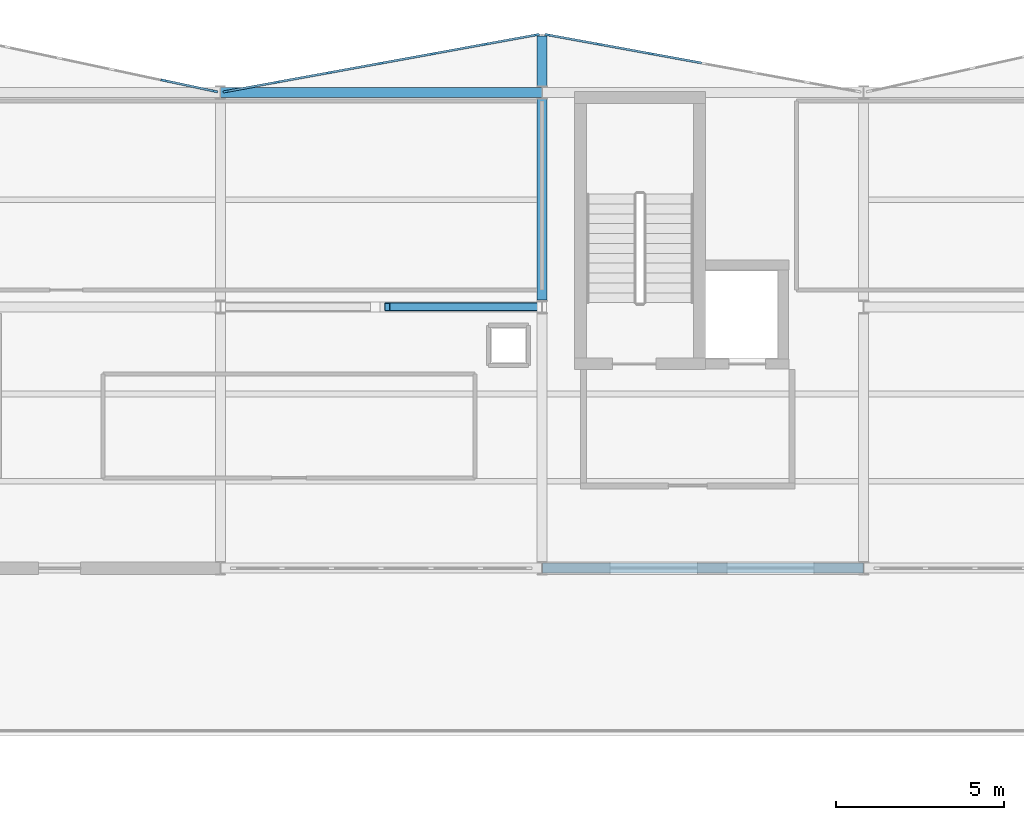
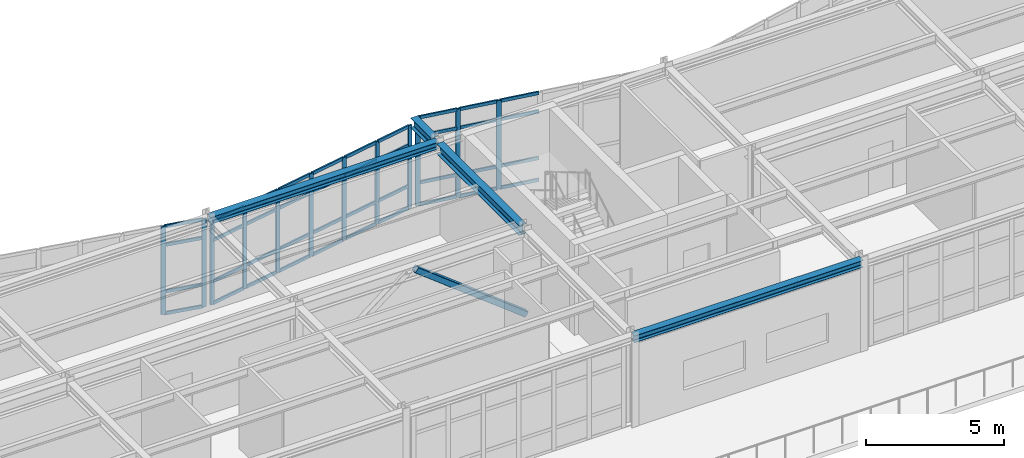
# One storey, part 24 of 47: 53 members, 4 beams, 3 elements without a shape of their own.
"""IFC4 building model written with IfcOpenShell, lengths in metres."""

from ifc_helpers import new_model, si_unit, direction, frame, origin, origin_2d, place, context, subcontext, project, spatial, rectangle, hollow_rectangle, i_section, extrude, material, layer, layer_set, material_profile, profile_set, type_object, element, aggregate, save


model = new_model("IFC4")

# Units and contexts
model_context = context("Model", 3, precision=1e-05, world=origin(), true_north=direction((0.0, 1.0)))
body_context = subcontext(model_context, "Body", "Model", "MODEL_VIEW")
ifc_project = project(units=[si_unit("LENGTHUNIT", "METRE"), si_unit("AREAUNIT", "SQUARE_METRE"), si_unit("VOLUMEUNIT", "CUBIC_METRE"), si_unit("PLANEANGLEUNIT", "RADIAN"), si_unit("MASSUNIT", "GRAM", prefix="KILO")], contexts=[model_context])

# Site, building, storey
site_placement = place(None, origin())
site = spatial("IfcSite", under=ifc_project, at=site_placement, CompositionType="ELEMENT")
building_placement = place(site_placement, origin())
building = spatial("IfcBuilding", under=site, at=building_placement, Name="Nordkorset Police Headquarters", CompositionType="ELEMENT")
storey_placement = place(building_placement, frame((0.0, 0.0, 22.050048828125)))
storey = spatial("IfcBuildingStorey", under=building, at=storey_placement, Name="L05", CompositionType="ELEMENT", Elevation=22.050048828125)

# Member
ifc_material_1 = material(Name="Steel S355J2", Category="steel")
ifc_material_profile_1 = material_profile(ifc_material_1, hollow_rectangle(XDim=0.25, YDim=0.25, WallThickness=0.012451171875, InnerFilletRadius=0.012451171875, OuterFilletRadius=0.02490234375, at=origin_2d()), Name="SHS 250x250x12.5")
ifc_profile_set_1 = profile_set([ifc_material_profile_1], Name="Steel S355J2")
member_type_1 = type_object("IfcMemberType", Name="Brace_SHS_250x250x12.5", PredefinedType="BRACE", material=ifc_profile_set_1)
member_1_placement = place(storey_placement, frame((57.59326171875, 110.39990234375, 0.199951171875), z_axis=(-0.790018119553, 0.0, 0.613083494132), x_axis=(0.0, -1.0, 0.0)))
element("IfcMember", 1, at=member_1_placement, inside=storey, type_object=member_type_1, Name="Lateral Chevron Brace BF-V2-A L05 D2", PredefinedType="BRACE", context=body_context, shape_type="SweptSolid", body=[
    extrude(hollow_rectangle(XDim=0.25, YDim=0.25, WallThickness=0.012451171875, InnerFilletRadius=0.012451171875, OuterFilletRadius=0.02490234375, at=origin_2d()), origin(), (0.0, 0.0, 1.0), 5.83935546875),
])

# Curtain wall, members
ifc_material_2 = material(Name="Aluminium alloy AW-6060", Category="aluminium")
ifc_layer_1 = layer(ifc_material_2, 0.179931640625, Name="Aluminium alloy AW-6060")
ifc_layer_set_1 = layer_set([ifc_layer_1], Name="Aluminium alloy AW-6060")
curtain_wall_type_1 = type_object("IfcCurtainWallType", Name="CW_Unit_954x392", PredefinedType="USERDEFINED", material=ifc_layer_set_1)
curtain_wall_1_placement = place(storey_placement, origin())
curtain_wall_1 = element("IfcCurtainWall", 2, at=curtain_wall_1_placement, inside=storey, type_object=curtain_wall_type_1, Name="Unitised Curtain Wall L05 V2N-1", ObjectType="UNITISED CURTAIN WALL", PredefinedType="USERDEFINED")
ifc_material_3 = material(Name="Aluminium alloy AW-6060", Category="aluminium")
ifc_material_profile_2 = material_profile(ifc_material_3, rectangle(XDim=0.06494140625, YDim=0.179931640625, at=origin_2d()), Name="ALU MULL 65x180")
ifc_profile_set_2 = profile_set([ifc_material_profile_2], Name="Aluminium alloy AW-6060")
member_type_2 = type_object("IfcMemberType", Name="CW_Mullion_65x180", PredefinedType="MULLION", material=ifc_profile_set_2)
member_2_placement = place(storey_placement, frame((46.308837890625, 117.1611328125, 0.0), z_axis=(0.0, 0.0, 1.0), x_axis=(0.208832534289, 0.977951416289, 0.0)))
member_2 = element("IfcMember", 3, at=member_2_placement, type_object=member_type_2, Name="CW-20 mullion 6", PredefinedType="MULLION", context=body_context, shape_type="SweptSolid", body=[
    extrude(rectangle(XDim=0.06494140625, YDim=0.179931640625, at=origin_2d()), origin(), (0.0, 0.0, 1.0), 3.919921875),
])
member_3_placement = place(storey_placement, frame((47.831298828125, 116.8359375, 0.0), z_axis=(0.0, 0.0, 1.0), x_axis=(0.208832534289, 0.977951416289, 0.0)))
member_3 = element("IfcMember", 4, at=member_3_placement, type_object=member_type_2, Name="CW-20 mullion 7", PredefinedType="MULLION", context=body_context, shape_type="SweptSolid", body=[
    extrude(rectangle(XDim=0.06494140625, YDim=0.179931640625, at=origin_2d()), origin(), (0.0, 0.0, 1.0), 3.919921875),
])

ifc_material_4 = material(Name="Aluminium alloy AW-6060", Category="aluminium")
ifc_layer_2 = layer(ifc_material_4, 0.179931640625, Name="Aluminium alloy AW-6060")
ifc_layer_set_2 = layer_set([ifc_layer_2], Name="Aluminium alloy AW-6060")
curtain_wall_type_2 = type_object("IfcCurtainWallType", Name="CW_Unit_948x367", PredefinedType="USERDEFINED", material=ifc_layer_set_2)
curtain_wall_2_placement = place(storey_placement, origin())
curtain_wall_2 = element("IfcCurtainWall", 5, at=curtain_wall_2_placement, inside=storey, type_object=curtain_wall_type_2, Name="Unitised Curtain Wall L05 V2N-2", ObjectType="UNITISED CURTAIN WALL", PredefinedType="USERDEFINED")
member_4_placement = place(storey_placement, frame((48.169677734375, 116.8310546875, 0.0), z_axis=(0.0, 0.0, 1.0), x_axis=(-0.179335715876, 0.983787934979, 0.0)))
member_4 = element("IfcMember", 6, at=member_4_placement, type_object=member_type_2, Name="CW-02 mullion 1", PredefinedType="MULLION", context=body_context, shape_type="SweptSolid", body=[
    extrude(rectangle(XDim=0.06494140625, YDim=0.179931640625, at=origin_2d()), origin(), (0.0, 0.0, 1.0), 3.669921875),
])
member_5_placement = place(storey_placement, frame((49.69189453125, 117.1083984375, 0.0), z_axis=(0.0, 0.0, 1.0), x_axis=(-0.179335715876, 0.983787934979, 0.0)))
member_5 = element("IfcMember", 7, at=member_5_placement, type_object=member_type_2, Name="CW-02 mullion 2", PredefinedType="MULLION", context=body_context, shape_type="SweptSolid", body=[
    extrude(rectangle(XDim=0.06494140625, YDim=0.179931640625, at=origin_2d()), origin(), (0.0, 0.0, 1.0), 3.669921875),
])
member_6_placement = place(storey_placement, frame((51.245849609375, 117.3916015625, 0.0), z_axis=(0.0, 0.0, 1.0), x_axis=(-0.179335715876, 0.983787934979, 0.0)))
member_6 = element("IfcMember", 8, at=member_6_placement, type_object=member_type_2, Name="CW-02 mullion 3", PredefinedType="MULLION", context=body_context, shape_type="SweptSolid", body=[
    extrude(rectangle(XDim=0.06494140625, YDim=0.179931640625, at=origin_2d()), origin(), (0.0, 0.0, 1.0), 3.669921875),
])
member_7_placement = place(storey_placement, frame((52.800048828125, 117.675048828125, 0.0), z_axis=(0.0, 0.0, 1.0), x_axis=(-0.179335715876, 0.983787934979, 0.0)))
member_7 = element("IfcMember", 9, at=member_7_placement, type_object=member_type_2, Name="CW-02 mullion 4", PredefinedType="MULLION", context=body_context, shape_type="SweptSolid", body=[
    extrude(rectangle(XDim=0.06494140625, YDim=0.179931640625, at=origin_2d()), origin(), (0.0, 0.0, 1.0), 3.669921875),
])
member_8_placement = place(storey_placement, frame((54.35400390625, 117.958251953125, 0.0), z_axis=(0.0, 0.0, 1.0), x_axis=(-0.179335715876, 0.983787934979, 0.0)))
member_8 = element("IfcMember", 10, at=member_8_placement, type_object=member_type_2, Name="CW-02 mullion 5", PredefinedType="MULLION", context=body_context, shape_type="SweptSolid", body=[
    extrude(rectangle(XDim=0.06494140625, YDim=0.179931640625, at=origin_2d()), origin(), (0.0, 0.0, 1.0), 3.669921875),
])
member_9_placement = place(storey_placement, frame((55.908203125, 118.24169921875, 0.0), z_axis=(0.0, 0.0, 1.0), x_axis=(-0.179335715876, 0.983787934979, 0.0)))
member_9 = element("IfcMember", 11, at=member_9_placement, type_object=member_type_2, Name="CW-02 mullion 6", PredefinedType="MULLION", context=body_context, shape_type="SweptSolid", body=[
    extrude(rectangle(XDim=0.06494140625, YDim=0.179931640625, at=origin_2d()), origin(), (0.0, 0.0, 1.0), 3.669921875),
])
member_10_placement = place(storey_placement, frame((57.43017578125, 118.51904296875, 0.0), z_axis=(0.0, 0.0, 1.0), x_axis=(-0.179335715876, 0.983787934979, 0.0)))
member_10 = element("IfcMember", 12, at=member_10_placement, type_object=member_type_2, Name="CW-02 mullion 7", PredefinedType="MULLION", context=body_context, shape_type="SweptSolid", body=[
    extrude(rectangle(XDim=0.06494140625, YDim=0.179931640625, at=origin_2d()), origin(), (0.0, 0.0, 1.0), 3.669921875),
])

ifc_material_5 = material(Name="Aluminium alloy AW-6060", Category="aluminium")
ifc_layer_3 = layer(ifc_material_5, 0.179931640625, Name="Aluminium alloy AW-6060")
ifc_layer_set_3 = layer_set([ifc_layer_3], Name="Aluminium alloy AW-6060")
curtain_wall_type_3 = type_object("IfcCurtainWallType", Name="CW_Unit_948x392", PredefinedType="USERDEFINED", material=ifc_layer_set_3)
curtain_wall_3_placement = place(storey_placement, origin())
curtain_wall_3 = element("IfcCurtainWall", 13, at=curtain_wall_3_placement, inside=storey, type_object=curtain_wall_type_3, Name="Unitised Curtain Wall L05 V2N-3", ObjectType="UNITISED CURTAIN WALL", PredefinedType="USERDEFINED")
member_11_placement = place(storey_placement, frame((57.769775390625, 118.51904296875, 0.0), z_axis=(0.0, 0.0, 1.0), x_axis=(0.179335715876, 0.983787934979, 0.0)))
member_11 = element("IfcMember", 14, at=member_11_placement, type_object=member_type_2, Name="CW-65 mullion 1", PredefinedType="MULLION", context=body_context, shape_type="SweptSolid", body=[
    extrude(rectangle(XDim=0.06494140625, YDim=0.179931640625, at=origin_2d()), origin(), (0.0, 0.0, 1.0), 3.919921875),
])
member_12_placement = place(storey_placement, frame((59.291748046875, 118.24169921875, 0.0), z_axis=(0.0, 0.0, 1.0), x_axis=(0.179335715876, 0.983787934979, 0.0)))
member_12 = element("IfcMember", 15, at=member_12_placement, type_object=member_type_2, Name="CW-65 mullion 2", PredefinedType="MULLION", context=body_context, shape_type="SweptSolid", body=[
    extrude(rectangle(XDim=0.06494140625, YDim=0.179931640625, at=origin_2d()), origin(), (0.0, 0.0, 1.0), 3.919921875),
])
member_13_placement = place(storey_placement, frame((60.845947265625, 117.958251953125, 0.0), z_axis=(0.0, 0.0, 1.0), x_axis=(0.179335715876, 0.983787934979, 0.0)))
member_13 = element("IfcMember", 16, at=member_13_placement, type_object=member_type_2, Name="CW-65 mullion 3", PredefinedType="MULLION", context=body_context, shape_type="SweptSolid", body=[
    extrude(rectangle(XDim=0.06494140625, YDim=0.179931640625, at=origin_2d()), origin(), (0.0, 0.0, 1.0), 3.919921875),
])

# Member
ifc_material_6 = material(Name="Aluminium alloy AW-6060", Category="aluminium")
ifc_material_profile_3 = material_profile(ifc_material_6, rectangle(XDim=0.06494140625, YDim=0.139892578125, at=origin_2d()), Name="ALU TRAN 65x140")
ifc_profile_set_3 = profile_set([ifc_material_profile_3], Name="Aluminium alloy AW-6060")
member_type_3 = type_object("IfcMemberType", Name="CW_Transom_65x140", PredefinedType="USERDEFINED", material=ifc_profile_set_3)
member_14_placement = place(storey_placement, frame((46.340576171875, 117.154296875, 0.032470703125), z_axis=(0.977955422008, -0.208813774846, 0.0), x_axis=(0.208813774846, 0.977955422008, 0.0)))
member_14 = element("IfcMember", 17, at=member_14_placement, type_object=member_type_3, Name="CW-20 transom 6.1", ObjectType="TRANSOM", PredefinedType="USERDEFINED", context=body_context, shape_type="SweptSolid", body=[
    extrude(rectangle(XDim=0.06494140625, YDim=0.139892578125, at=origin_2d()), origin(), (0.0, 0.0, 1.0), 1.491943359375),
])

member_15_placement = place(storey_placement, frame((46.340576171875, 117.154296875, 1.0), z_axis=(0.977955422008, -0.208813774846, 0.0), x_axis=(0.208813774846, 0.977955422008, 0.0)))
member_15 = element("IfcMember", 18, at=member_15_placement, type_object=member_type_3, Name="CW-20 transom 6.2", ObjectType="TRANSOM", PredefinedType="USERDEFINED", context=body_context, shape_type="SweptSolid", body=[
    extrude(rectangle(XDim=0.06494140625, YDim=0.139892578125, at=origin_2d()), origin(), (0.0, 0.0, 1.0), 1.491943359375),
])

member_16_placement = place(storey_placement, frame((46.340576171875, 117.154296875, 3.070068359375), z_axis=(0.977955422008, -0.208813774846, 0.0), x_axis=(0.208813774846, 0.977955422008, 0.0)))
member_16 = element("IfcMember", 19, at=member_16_placement, type_object=member_type_3, Name="CW-20 transom 6.3", ObjectType="TRANSOM", PredefinedType="USERDEFINED", context=body_context, shape_type="SweptSolid", body=[
    extrude(rectangle(XDim=0.06494140625, YDim=0.139892578125, at=origin_2d()), origin(), (0.0, 0.0, 1.0), 1.491943359375),
])

member_17_placement = place(storey_placement, frame((46.340576171875, 117.154296875, 3.887451171875), z_axis=(0.977955422008, -0.208813774846, 0.0), x_axis=(0.208813774846, 0.977955422008, 0.0)))
member_17 = element("IfcMember", 20, at=member_17_placement, type_object=member_type_3, Name="CW-20 transom 6.4", ObjectType="TRANSOM", PredefinedType="USERDEFINED", context=body_context, shape_type="SweptSolid", body=[
    extrude(rectangle(XDim=0.06494140625, YDim=0.139892578125, at=origin_2d()), origin(), (0.0, 0.0, 1.0), 1.491943359375),
])

aggregate(curtain_wall_1, [member_2, member_3, member_14, member_15, member_16, member_17])

member_18_placement = place(storey_placement, frame((48.20166015625, 116.836669921875, 0.032470703125), z_axis=(0.98378282961, 0.179363720316, 0.0), x_axis=(-0.179363720316, 0.98378282961, 0.0)))
member_18 = element("IfcMember", 21, at=member_18_placement, type_object=member_type_3, Name="CW-02 transom 1.1", ObjectType="TRANSOM", PredefinedType="USERDEFINED", context=body_context, shape_type="SweptSolid", body=[
    extrude(rectangle(XDim=0.06494140625, YDim=0.139892578125, at=origin_2d()), origin(), (0.0, 0.0, 1.0), 1.482177734375),
])

member_19_placement = place(storey_placement, frame((48.20166015625, 116.836669921875, 1.0), z_axis=(0.98378282961, 0.179363720316, 0.0), x_axis=(-0.179363720316, 0.98378282961, 0.0)))
member_19 = element("IfcMember", 22, at=member_19_placement, type_object=member_type_3, Name="CW-02 transom 1.2", ObjectType="TRANSOM", PredefinedType="USERDEFINED", context=body_context, shape_type="SweptSolid", body=[
    extrude(rectangle(XDim=0.06494140625, YDim=0.139892578125, at=origin_2d()), origin(), (0.0, 0.0, 1.0), 1.482177734375),
])

member_20_placement = place(storey_placement, frame((48.20166015625, 116.836669921875, 2.820068359375), z_axis=(0.98378282961, 0.179363720316, 0.0), x_axis=(-0.179363720316, 0.98378282961, 0.0)))
member_20 = element("IfcMember", 23, at=member_20_placement, type_object=member_type_3, Name="CW-02 transom 1.3", ObjectType="TRANSOM", PredefinedType="USERDEFINED", context=body_context, shape_type="SweptSolid", body=[
    extrude(rectangle(XDim=0.06494140625, YDim=0.139892578125, at=origin_2d()), origin(), (0.0, 0.0, 1.0), 1.482177734375),
])

member_21_placement = place(storey_placement, frame((48.20166015625, 116.836669921875, 3.637451171875), z_axis=(0.98378282961, 0.179363720316, 0.0), x_axis=(-0.179363720316, 0.98378282961, 0.0)))
member_21 = element("IfcMember", 24, at=member_21_placement, type_object=member_type_3, Name="CW-02 transom 1.4", ObjectType="TRANSOM", PredefinedType="USERDEFINED", context=body_context, shape_type="SweptSolid", body=[
    extrude(rectangle(XDim=0.06494140625, YDim=0.139892578125, at=origin_2d()), origin(), (0.0, 0.0, 1.0), 1.482177734375),
])

member_22_placement = place(storey_placement, frame((49.723876953125, 117.1142578125, 0.032470703125), z_axis=(0.983774342545, 0.179410264338, 0.0), x_axis=(-0.179410264338, 0.983774342545, 0.0)))
member_22 = element("IfcMember", 25, at=member_22_placement, type_object=member_type_3, Name="CW-02 transom 2.1", ObjectType="TRANSOM", PredefinedType="USERDEFINED", context=body_context, shape_type="SweptSolid", body=[
    extrude(rectangle(XDim=0.06494140625, YDim=0.139892578125, at=origin_2d()), origin(), (0.0, 0.0, 1.0), 1.5146484375),
])

member_23_placement = place(storey_placement, frame((49.723876953125, 117.1142578125, 1.0), z_axis=(0.983774342545, 0.179410264338, 0.0), x_axis=(-0.179410264338, 0.983774342545, 0.0)))
member_23 = element("IfcMember", 26, at=member_23_placement, type_object=member_type_3, Name="CW-02 transom 2.2", ObjectType="TRANSOM", PredefinedType="USERDEFINED", context=body_context, shape_type="SweptSolid", body=[
    extrude(rectangle(XDim=0.06494140625, YDim=0.139892578125, at=origin_2d()), origin(), (0.0, 0.0, 1.0), 1.5146484375),
])

member_24_placement = place(storey_placement, frame((49.723876953125, 117.1142578125, 2.820068359375), z_axis=(0.983774342545, 0.179410264338, 0.0), x_axis=(-0.179410264338, 0.983774342545, 0.0)))
member_24 = element("IfcMember", 27, at=member_24_placement, type_object=member_type_3, Name="CW-02 transom 2.3", ObjectType="TRANSOM", PredefinedType="USERDEFINED", context=body_context, shape_type="SweptSolid", body=[
    extrude(rectangle(XDim=0.06494140625, YDim=0.139892578125, at=origin_2d()), origin(), (0.0, 0.0, 1.0), 1.5146484375),
])

member_25_placement = place(storey_placement, frame((49.723876953125, 117.1142578125, 3.637451171875), z_axis=(0.983774342545, 0.179410264338, 0.0), x_axis=(-0.179410264338, 0.983774342545, 0.0)))
member_25 = element("IfcMember", 28, at=member_25_placement, type_object=member_type_3, Name="CW-02 transom 2.4", ObjectType="TRANSOM", PredefinedType="USERDEFINED", context=body_context, shape_type="SweptSolid", body=[
    extrude(rectangle(XDim=0.06494140625, YDim=0.139892578125, at=origin_2d()), origin(), (0.0, 0.0, 1.0), 1.5146484375),
])

member_26_placement = place(storey_placement, frame((51.27783203125, 117.3974609375, 0.032470703125), z_axis=(0.983779529869, 0.179381817946, 0.0), x_axis=(-0.179381817946, 0.983779529869, 0.0)))
member_26 = element("IfcMember", 29, at=member_26_placement, type_object=member_type_3, Name="CW-02 transom 3.1", ObjectType="TRANSOM", PredefinedType="USERDEFINED", context=body_context, shape_type="SweptSolid", body=[
    extrude(rectangle(XDim=0.06494140625, YDim=0.139892578125, at=origin_2d()), origin(), (0.0, 0.0, 1.0), 1.514892578125),
])

member_27_placement = place(storey_placement, frame((51.27783203125, 117.3974609375, 1.0), z_axis=(0.983779529869, 0.179381817946, 0.0), x_axis=(-0.179381817946, 0.983779529869, 0.0)))
member_27 = element("IfcMember", 30, at=member_27_placement, type_object=member_type_3, Name="CW-02 transom 3.2", ObjectType="TRANSOM", PredefinedType="USERDEFINED", context=body_context, shape_type="SweptSolid", body=[
    extrude(rectangle(XDim=0.06494140625, YDim=0.139892578125, at=origin_2d()), origin(), (0.0, 0.0, 1.0), 1.514892578125),
])

member_28_placement = place(storey_placement, frame((51.27783203125, 117.3974609375, 2.820068359375), z_axis=(0.983779529869, 0.179381817946, 0.0), x_axis=(-0.179381817946, 0.983779529869, 0.0)))
member_28 = element("IfcMember", 31, at=member_28_placement, type_object=member_type_3, Name="CW-02 transom 3.3", ObjectType="TRANSOM", PredefinedType="USERDEFINED", context=body_context, shape_type="SweptSolid", body=[
    extrude(rectangle(XDim=0.06494140625, YDim=0.139892578125, at=origin_2d()), origin(), (0.0, 0.0, 1.0), 1.514892578125),
])

member_29_placement = place(storey_placement, frame((51.27783203125, 117.3974609375, 3.637451171875), z_axis=(0.983779529869, 0.179381817946, 0.0), x_axis=(-0.179381817946, 0.983779529869, 0.0)))
member_29 = element("IfcMember", 32, at=member_29_placement, type_object=member_type_3, Name="CW-02 transom 3.4", ObjectType="TRANSOM", PredefinedType="USERDEFINED", context=body_context, shape_type="SweptSolid", body=[
    extrude(rectangle(XDim=0.06494140625, YDim=0.139892578125, at=origin_2d()), origin(), (0.0, 0.0, 1.0), 1.514892578125),
])

member_30_placement = place(storey_placement, frame((52.83203125, 117.680908203125, 0.032470703125), z_axis=(0.983802781825, 0.179254250924, 0.0), x_axis=(-0.179254250924, 0.983802781825, 0.0)))
member_30 = element("IfcMember", 33, at=member_30_placement, type_object=member_type_3, Name="CW-02 transom 4.1", ObjectType="TRANSOM", PredefinedType="USERDEFINED", context=body_context, shape_type="SweptSolid", body=[
    extrude(rectangle(XDim=0.06494140625, YDim=0.139892578125, at=origin_2d()), origin(), (0.0, 0.0, 1.0), 1.514404296875),
])

member_31_placement = place(storey_placement, frame((52.83203125, 117.680908203125, 1.0), z_axis=(0.983802781825, 0.179254250924, 0.0), x_axis=(-0.179254250924, 0.983802781825, 0.0)))
member_31 = element("IfcMember", 34, at=member_31_placement, type_object=member_type_3, Name="CW-02 transom 4.2", ObjectType="TRANSOM", PredefinedType="USERDEFINED", context=body_context, shape_type="SweptSolid", body=[
    extrude(rectangle(XDim=0.06494140625, YDim=0.139892578125, at=origin_2d()), origin(), (0.0, 0.0, 1.0), 1.514404296875),
])

member_32_placement = place(storey_placement, frame((52.83203125, 117.680908203125, 2.820068359375), z_axis=(0.983802781825, 0.179254250924, 0.0), x_axis=(-0.179254250924, 0.983802781825, 0.0)))
member_32 = element("IfcMember", 35, at=member_32_placement, type_object=member_type_3, Name="CW-02 transom 4.3", ObjectType="TRANSOM", PredefinedType="USERDEFINED", context=body_context, shape_type="SweptSolid", body=[
    extrude(rectangle(XDim=0.06494140625, YDim=0.139892578125, at=origin_2d()), origin(), (0.0, 0.0, 1.0), 1.514404296875),
])

member_33_placement = place(storey_placement, frame((52.83203125, 117.680908203125, 3.637451171875), z_axis=(0.983802781825, 0.179254250924, 0.0), x_axis=(-0.179254250924, 0.983802781825, 0.0)))
member_33 = element("IfcMember", 36, at=member_33_placement, type_object=member_type_3, Name="CW-02 transom 4.4", ObjectType="TRANSOM", PredefinedType="USERDEFINED", context=body_context, shape_type="SweptSolid", body=[
    extrude(rectangle(XDim=0.06494140625, YDim=0.139892578125, at=origin_2d()), origin(), (0.0, 0.0, 1.0), 1.514404296875),
])

member_34_placement = place(storey_placement, frame((54.385986328125, 117.964111328125, 0.032470703125), z_axis=(0.983779529869, 0.179381817946, 0.0), x_axis=(-0.179381817946, 0.983779529869, 0.0)))
member_34 = element("IfcMember", 37, at=member_34_placement, type_object=member_type_3, Name="CW-02 transom 5.1", ObjectType="TRANSOM", PredefinedType="USERDEFINED", context=body_context, shape_type="SweptSolid", body=[
    extrude(rectangle(XDim=0.06494140625, YDim=0.139892578125, at=origin_2d()), origin(), (0.0, 0.0, 1.0), 1.514892578125),
])

member_35_placement = place(storey_placement, frame((54.385986328125, 117.964111328125, 1.0), z_axis=(0.983779529869, 0.179381817946, 0.0), x_axis=(-0.179381817946, 0.983779529869, 0.0)))
member_35 = element("IfcMember", 38, at=member_35_placement, type_object=member_type_3, Name="CW-02 transom 5.2", ObjectType="TRANSOM", PredefinedType="USERDEFINED", context=body_context, shape_type="SweptSolid", body=[
    extrude(rectangle(XDim=0.06494140625, YDim=0.139892578125, at=origin_2d()), origin(), (0.0, 0.0, 1.0), 1.514892578125),
])

member_36_placement = place(storey_placement, frame((54.385986328125, 117.964111328125, 2.820068359375), z_axis=(0.983779529869, 0.179381817946, 0.0), x_axis=(-0.179381817946, 0.983779529869, 0.0)))
member_36 = element("IfcMember", 39, at=member_36_placement, type_object=member_type_3, Name="CW-02 transom 5.3", ObjectType="TRANSOM", PredefinedType="USERDEFINED", context=body_context, shape_type="SweptSolid", body=[
    extrude(rectangle(XDim=0.06494140625, YDim=0.139892578125, at=origin_2d()), origin(), (0.0, 0.0, 1.0), 1.514892578125),
])

member_37_placement = place(storey_placement, frame((54.385986328125, 117.964111328125, 3.637451171875), z_axis=(0.983779529869, 0.179381817946, 0.0), x_axis=(-0.179381817946, 0.983779529869, 0.0)))
member_37 = element("IfcMember", 40, at=member_37_placement, type_object=member_type_3, Name="CW-02 transom 5.4", ObjectType="TRANSOM", PredefinedType="USERDEFINED", context=body_context, shape_type="SweptSolid", body=[
    extrude(rectangle(XDim=0.06494140625, YDim=0.139892578125, at=origin_2d()), origin(), (0.0, 0.0, 1.0), 1.514892578125),
])

member_38_placement = place(storey_placement, frame((55.940185546875, 118.247314453125, 0.032470703125), z_axis=(0.98378282961, 0.179363720316, 0.0), x_axis=(-0.179363720316, 0.98378282961, 0.0)))
member_38 = element("IfcMember", 41, at=member_38_placement, type_object=member_type_3, Name="CW-02 transom 6.1", ObjectType="TRANSOM", PredefinedType="USERDEFINED", context=body_context, shape_type="SweptSolid", body=[
    extrude(rectangle(XDim=0.06494140625, YDim=0.139892578125, at=origin_2d()), origin(), (0.0, 0.0, 1.0), 1.482177734375),
])

member_39_placement = place(storey_placement, frame((55.940185546875, 118.247314453125, 1.0), z_axis=(0.98378282961, 0.179363720316, 0.0), x_axis=(-0.179363720316, 0.98378282961, 0.0)))
member_39 = element("IfcMember", 42, at=member_39_placement, type_object=member_type_3, Name="CW-02 transom 6.2", ObjectType="TRANSOM", PredefinedType="USERDEFINED", context=body_context, shape_type="SweptSolid", body=[
    extrude(rectangle(XDim=0.06494140625, YDim=0.139892578125, at=origin_2d()), origin(), (0.0, 0.0, 1.0), 1.482177734375),
])

member_40_placement = place(storey_placement, frame((55.940185546875, 118.247314453125, 2.820068359375), z_axis=(0.98378282961, 0.179363720316, 0.0), x_axis=(-0.179363720316, 0.98378282961, 0.0)))
member_40 = element("IfcMember", 43, at=member_40_placement, type_object=member_type_3, Name="CW-02 transom 6.3", ObjectType="TRANSOM", PredefinedType="USERDEFINED", context=body_context, shape_type="SweptSolid", body=[
    extrude(rectangle(XDim=0.06494140625, YDim=0.139892578125, at=origin_2d()), origin(), (0.0, 0.0, 1.0), 1.482177734375),
])

member_41_placement = place(storey_placement, frame((55.940185546875, 118.247314453125, 3.637451171875), z_axis=(0.98378282961, 0.179363720316, 0.0), x_axis=(-0.179363720316, 0.98378282961, 0.0)))
member_41 = element("IfcMember", 44, at=member_41_placement, type_object=member_type_3, Name="CW-02 transom 6.4", ObjectType="TRANSOM", PredefinedType="USERDEFINED", context=body_context, shape_type="SweptSolid", body=[
    extrude(rectangle(XDim=0.06494140625, YDim=0.139892578125, at=origin_2d()), origin(), (0.0, 0.0, 1.0), 1.482177734375),
])

aggregate(curtain_wall_2, [member_4, member_5, member_6, member_7, member_8, member_9, member_10, member_18, member_19, member_20, member_21, member_22, member_23, member_24, member_25, member_26, member_27, member_28, member_29, member_30, member_31, member_32, member_33, member_34, member_35, member_36, member_37, member_38, member_39, member_40, member_41])

member_42_placement = place(storey_placement, frame((57.8017578125, 118.51318359375, 0.032470703125), z_axis=(0.983777529541, -0.179392787955, 0.0), x_axis=(0.179392787955, 0.983777529541, 0.0)))
member_42 = element("IfcMember", 45, at=member_42_placement, type_object=member_type_3, Name="CW-65 transom 1.1", ObjectType="TRANSOM", PredefinedType="USERDEFINED", context=body_context, shape_type="SweptSolid", body=[
    extrude(rectangle(XDim=0.06494140625, YDim=0.139892578125, at=origin_2d()), origin(), (0.0, 0.0, 1.0), 1.48193359375),
])

member_43_placement = place(storey_placement, frame((57.8017578125, 118.51318359375, 1.0), z_axis=(0.983777529541, -0.179392787955, 0.0), x_axis=(0.179392787955, 0.983777529541, 0.0)))
member_43 = element("IfcMember", 46, at=member_43_placement, type_object=member_type_3, Name="CW-65 transom 1.2", ObjectType="TRANSOM", PredefinedType="USERDEFINED", context=body_context, shape_type="SweptSolid", body=[
    extrude(rectangle(XDim=0.06494140625, YDim=0.139892578125, at=origin_2d()), origin(), (0.0, 0.0, 1.0), 1.48193359375),
])

member_44_placement = place(storey_placement, frame((57.8017578125, 118.51318359375, 3.070068359375), z_axis=(0.983777529541, -0.179392787955, 0.0), x_axis=(0.179392787955, 0.983777529541, 0.0)))
member_44 = element("IfcMember", 47, at=member_44_placement, type_object=member_type_3, Name="CW-65 transom 1.3", ObjectType="TRANSOM", PredefinedType="USERDEFINED", context=body_context, shape_type="SweptSolid", body=[
    extrude(rectangle(XDim=0.06494140625, YDim=0.139892578125, at=origin_2d()), origin(), (0.0, 0.0, 1.0), 1.48193359375),
])

member_45_placement = place(storey_placement, frame((57.8017578125, 118.51318359375, 3.887451171875), z_axis=(0.983777529541, -0.179392787955, 0.0), x_axis=(0.179392787955, 0.983777529541, 0.0)))
member_45 = element("IfcMember", 48, at=member_45_placement, type_object=member_type_3, Name="CW-65 transom 1.4", ObjectType="TRANSOM", PredefinedType="USERDEFINED", context=body_context, shape_type="SweptSolid", body=[
    extrude(rectangle(XDim=0.06494140625, YDim=0.139892578125, at=origin_2d()), origin(), (0.0, 0.0, 1.0), 1.48193359375),
])

member_46_placement = place(storey_placement, frame((59.32373046875, 118.23583984375, 0.032470703125), z_axis=(0.983779529869, -0.179381817946, 0.0), x_axis=(0.179381817946, 0.983779529869, 0.0)))
member_46 = element("IfcMember", 49, at=member_46_placement, type_object=member_type_3, Name="CW-65 transom 2.1", ObjectType="TRANSOM", PredefinedType="USERDEFINED", context=body_context, shape_type="SweptSolid", body=[
    extrude(rectangle(XDim=0.06494140625, YDim=0.139892578125, at=origin_2d()), origin(), (0.0, 0.0, 1.0), 1.514892578125),
])

member_47_placement = place(storey_placement, frame((59.32373046875, 118.23583984375, 1.0), z_axis=(0.983779529869, -0.179381817946, 0.0), x_axis=(0.179381817946, 0.983779529869, 0.0)))
member_47 = element("IfcMember", 50, at=member_47_placement, type_object=member_type_3, Name="CW-65 transom 2.2", ObjectType="TRANSOM", PredefinedType="USERDEFINED", context=body_context, shape_type="SweptSolid", body=[
    extrude(rectangle(XDim=0.06494140625, YDim=0.139892578125, at=origin_2d()), origin(), (0.0, 0.0, 1.0), 1.514892578125),
])

member_48_placement = place(storey_placement, frame((59.32373046875, 118.23583984375, 3.070068359375), z_axis=(0.983779529869, -0.179381817946, 0.0), x_axis=(0.179381817946, 0.983779529869, 0.0)))
member_48 = element("IfcMember", 51, at=member_48_placement, type_object=member_type_3, Name="CW-65 transom 2.3", ObjectType="TRANSOM", PredefinedType="USERDEFINED", context=body_context, shape_type="SweptSolid", body=[
    extrude(rectangle(XDim=0.06494140625, YDim=0.139892578125, at=origin_2d()), origin(), (0.0, 0.0, 1.0), 1.514892578125),
])

member_49_placement = place(storey_placement, frame((59.32373046875, 118.23583984375, 3.887451171875), z_axis=(0.983779529869, -0.179381817946, 0.0), x_axis=(0.179381817946, 0.983779529869, 0.0)))
member_49 = element("IfcMember", 52, at=member_49_placement, type_object=member_type_3, Name="CW-65 transom 2.4", ObjectType="TRANSOM", PredefinedType="USERDEFINED", context=body_context, shape_type="SweptSolid", body=[
    extrude(rectangle(XDim=0.06494140625, YDim=0.139892578125, at=origin_2d()), origin(), (0.0, 0.0, 1.0), 1.514892578125),
])

member_50_placement = place(storey_placement, frame((60.8779296875, 117.952392578125, 0.032470703125), z_axis=(0.983802781825, -0.179254250924, 0.0), x_axis=(0.179254250924, 0.983802781825, 0.0)))
member_50 = element("IfcMember", 53, at=member_50_placement, type_object=member_type_3, Name="CW-65 transom 3.1", ObjectType="TRANSOM", PredefinedType="USERDEFINED", context=body_context, shape_type="SweptSolid", body=[
    extrude(rectangle(XDim=0.06494140625, YDim=0.139892578125, at=origin_2d()), origin(), (0.0, 0.0, 1.0), 1.514404296875),
])

member_51_placement = place(storey_placement, frame((60.8779296875, 117.952392578125, 1.0), z_axis=(0.983802781825, -0.179254250924, 0.0), x_axis=(0.179254250924, 0.983802781825, 0.0)))
member_51 = element("IfcMember", 54, at=member_51_placement, type_object=member_type_3, Name="CW-65 transom 3.2", ObjectType="TRANSOM", PredefinedType="USERDEFINED", context=body_context, shape_type="SweptSolid", body=[
    extrude(rectangle(XDim=0.06494140625, YDim=0.139892578125, at=origin_2d()), origin(), (0.0, 0.0, 1.0), 1.514404296875),
])

member_52_placement = place(storey_placement, frame((60.8779296875, 117.952392578125, 3.070068359375), z_axis=(0.983802781825, -0.179254250924, 0.0), x_axis=(0.179254250924, 0.983802781825, 0.0)))
member_52 = element("IfcMember", 55, at=member_52_placement, type_object=member_type_3, Name="CW-65 transom 3.3", ObjectType="TRANSOM", PredefinedType="USERDEFINED", context=body_context, shape_type="SweptSolid", body=[
    extrude(rectangle(XDim=0.06494140625, YDim=0.139892578125, at=origin_2d()), origin(), (0.0, 0.0, 1.0), 1.514404296875),
])

member_53_placement = place(storey_placement, frame((60.8779296875, 117.952392578125, 3.887451171875), z_axis=(0.983802781825, -0.179254250924, 0.0), x_axis=(0.179254250924, 0.983802781825, 0.0)))
member_53 = element("IfcMember", 56, at=member_53_placement, type_object=member_type_3, Name="CW-65 transom 3.4", ObjectType="TRANSOM", PredefinedType="USERDEFINED", context=body_context, shape_type="SweptSolid", body=[
    extrude(rectangle(XDim=0.06494140625, YDim=0.139892578125, at=origin_2d()), origin(), (0.0, 0.0, 1.0), 1.514404296875),
])

aggregate(curtain_wall_3, [member_11, member_12, member_13, member_42, member_43, member_44, member_45, member_46, member_47, member_48, member_49, member_50, member_51, member_52, member_53])

# Beams
ifc_material_7 = material(Name="Steel S355J2", Category="steel")
ifc_material_profile_4 = material_profile(ifc_material_7, i_section(OverallWidth=0.300048828125, OverallDepth=0.43994140625, WebThickness=0.011474609375, FlangeThickness=0.02099609375, FilletRadius=0.027099609375, at=origin_2d()), Name="HEA 450")
ifc_profile_set_4 = profile_set([ifc_material_profile_4], Name="Steel S355J2")
beam_type_1 = type_object("IfcBeamType", Name="Girder_HEA_450", PredefinedType="USERDEFINED", material=ifc_profile_set_4)
beam_1_placement = place(storey_placement, frame((57.60009765625, 110.60009765625, 3.780029296875), z_axis=(0.0, 1.0, 0.0), x_axis=(-1.0, 0.0, 0.0)))
element("IfcBeam", 57, at=beam_1_placement, inside=storey, type_object=beam_type_1, Name="Girder V2 L05 GY-3-1", ObjectType="GIRDER", PredefinedType="USERDEFINED", context=body_context, shape_type="SweptSolid", body=[
    extrude(i_section(OverallWidth=0.300048828125, OverallDepth=0.43994140625, WebThickness=0.011474609375, FlangeThickness=0.02099609375, FilletRadius=0.027099609375, at=origin_2d()), origin(), (0.0, 0.0, 1.0), 6.0),
])
beam_2_placement = place(storey_placement, frame((57.60009765625, 117.0, 3.780029296875), z_axis=(0.0, 1.0, 0.0), x_axis=(-1.0, 0.0, 0.0)))
element("IfcBeam", 58, at=beam_2_placement, inside=storey, type_object=beam_type_1, Name="Sawtooth Facade Outrigger V2 L05 57", ObjectType="GIRDER", PredefinedType="USERDEFINED", context=body_context, shape_type="SweptSolid", body=[
    extrude(i_section(OverallWidth=0.300048828125, OverallDepth=0.43994140625, WebThickness=0.011474609375, FlangeThickness=0.02099609375, FilletRadius=0.027099609375, at=origin_2d()), origin(), (0.0, 0.0, 1.0), 1.489990234375),
])
ifc_material_8 = material(Name="Steel S355J2", Category="steel")
ifc_material_profile_5 = material_profile(ifc_material_8, i_section(OverallWidth=0.300048828125, OverallDepth=0.31005859375, WebThickness=0.009033203125, FlangeThickness=0.015380859375, FilletRadius=0.027099609375, at=origin_2d()), Name="HEA 320")
ifc_profile_set_5 = profile_set([ifc_material_profile_5], Name="Steel S355J2")
beam_type_2 = type_object("IfcBeamType", Name="Spandrel_HEA_320", PredefinedType="SPANDREL", material=ifc_profile_set_5)
for number, where, z_axis, x_axis, name in (
    (59, (57.606689453125, 102.60009765625, 3.844970703125), (1.0, 0.0, 0.0), (0.0, 1.0, 0.0), "Girder V2 L05 GX-0-3"),
    (60, (48.006591796875, 116.800048828125, 3.844970703125), (1.0, 0.0, 0.0), (0.0, 1.0, 0.0), "Girder V2 L05 GX-2-2"),
):
    element("IfcBeam", number, at=place(storey_placement, frame(where, z_axis=z_axis, x_axis=x_axis)), inside=storey, type_object=beam_type_2, Name=name, PredefinedType="SPANDREL", context=body_context, shape_type="SweptSolid", body=[
        extrude(i_section(OverallWidth=0.300048828125, OverallDepth=0.31005859375, WebThickness=0.009033203125, FlangeThickness=0.015380859375, FilletRadius=0.027099609375, at=origin_2d()), origin(), (0.0, 0.0, 1.0), 9.586669921875),
    ])

save(model, "model.ifc")
